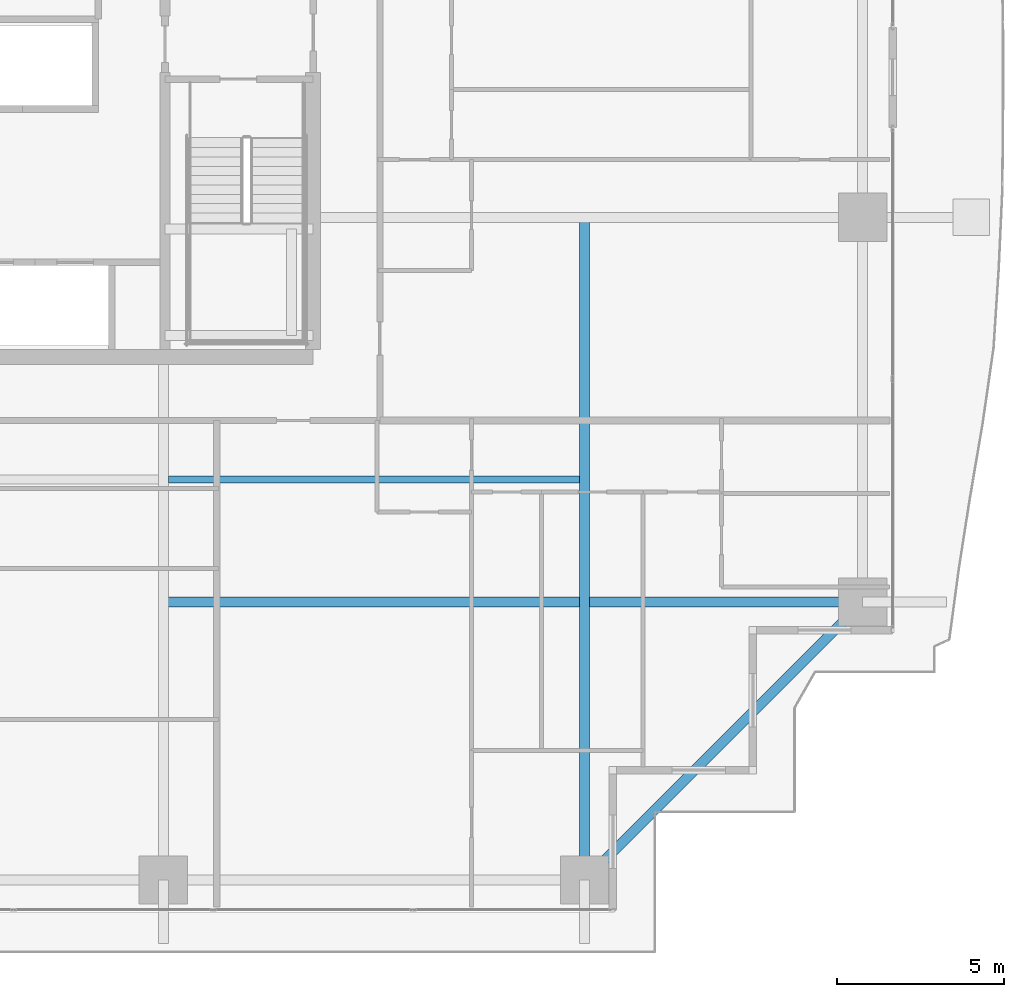
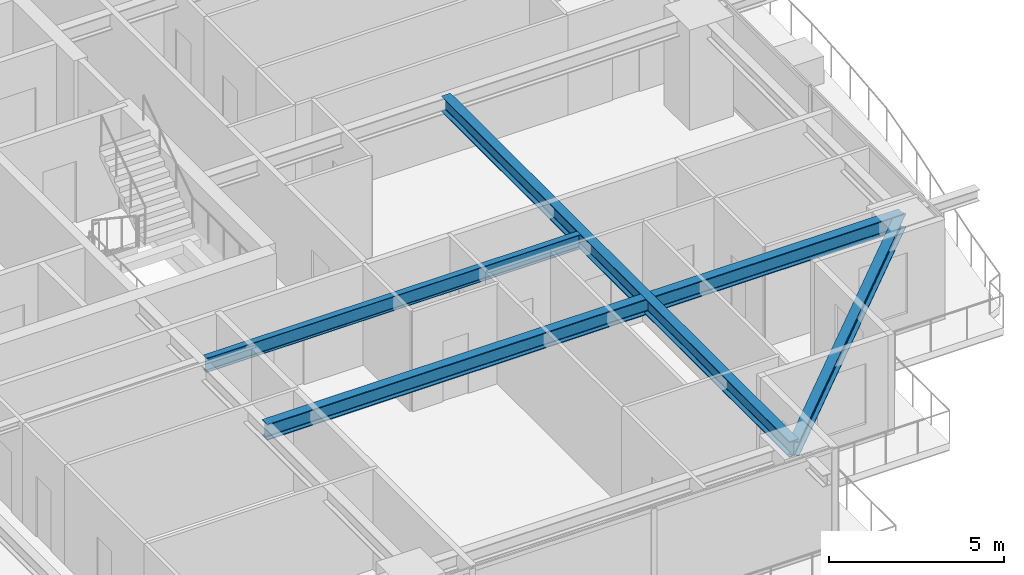
# One storey, part 11 of 37: 4 beams.
"""IFC4 building model written with IfcOpenShell, lengths in metres."""

from ifc_helpers import new_model, si_unit, direction, frame, origin, origin_2d, place, context, subcontext, project, spatial, i_section, extrude, source, transform, mapped, material, material_profile, profile_set, type_object, element, save


model = new_model("IFC4")

# Units and contexts
model_context = context("Model", 3, precision=1e-05, world=origin(), true_north=direction((0.0, 1.0)))
body_context = subcontext(model_context, "Body", "Model", "MODEL_VIEW")
ifc_project = project(units=[si_unit("LENGTHUNIT", "METRE"), si_unit("AREAUNIT", "SQUARE_METRE"), si_unit("VOLUMEUNIT", "CUBIC_METRE"), si_unit("PLANEANGLEUNIT", "RADIAN"), si_unit("MASSUNIT", "GRAM", prefix="KILO")], contexts=[model_context])

# Site, building, storey
site_placement = place(None, origin())
site = spatial("IfcSite", under=ifc_project, at=site_placement, CompositionType="ELEMENT")
building_placement = place(site_placement, origin())
building = spatial("IfcBuilding", under=site, at=building_placement, Name="Serunith Strait Residences", CompositionType="ELEMENT")
storey_placement = place(building_placement, frame((0.0, 0.0, 34.199951171875)))
storey = spatial("IfcBuildingStorey", under=building, at=storey_placement, Name="L07", CompositionType="ELEMENT", Elevation=34.199951171875)

# Beams
ifc_material = material(Name="Steel S355J2", Category="steel")
ifc_material_profile_1 = material_profile(ifc_material, i_section(OverallWidth=0.300048828125, OverallDepth=0.550048828125, WebThickness=0.014892578125, FlangeThickness=0.029052734375, FilletRadius=0.027099609375, at=origin_2d()), Name="HEB 550")
ifc_profile_set_1 = profile_set([ifc_material_profile_1], Name="Steel S355J2")
beam_type_1 = type_object("IfcBeamType", Name="BM-HEB550", PredefinedType="BEAM", material=ifc_profile_set_1)
shared_shape_1 = source(origin(), body_context, "Body", "SweptSolid", [
    extrude(i_section(OverallWidth=0.300048828125, OverallDepth=0.550048828125, WebThickness=0.014892578125, FlangeThickness=0.029052734375, FilletRadius=0.027099609375, at=origin_2d()), origin(), (0.0, 0.0, 1.0), 19.89990234375),
])
beam_1_placement = place(storey_placement, frame((49.550048828125, 21.0, 3.212158203125), z_axis=(0.0, -1.0, 0.0), x_axis=(1.0, 0.0, 0.0)))
element("IfcBeam", 1, at=beam_1_placement, inside=storey, type_object=beam_type_1, Name="L07 Orthogonal Corner Girder TC-S4", PredefinedType="BEAM", context=body_context, shape_type="MappedRepresentation", body=[
    mapped(shared_shape_1, transform((0.0, 0.0, 0.0), scale=1.0)),
])
shared_shape_2 = source(origin(), body_context, "Body", "SweptSolid", [
    extrude(i_section(OverallWidth=0.300048828125, OverallDepth=0.550048828125, WebThickness=0.014892578125, FlangeThickness=0.029052734375, FilletRadius=0.027099609375, at=origin_2d()), origin(), (0.0, 0.0, 1.0), 21.0),
])
beam_2_placement = place(storey_placement, frame((36.89990234375, 9.449951171875, 3.212158203125), z_axis=(1.0, 0.0, 0.0), x_axis=(0.0, 1.0, 0.0)))
element("IfcBeam", 2, at=beam_2_placement, inside=storey, type_object=beam_type_1, Name="L07 Orthogonal Corner Girder TC-E1", PredefinedType="BEAM", context=body_context, shape_type="MappedRepresentation", body=[
    mapped(shared_shape_2, transform((0.0, 0.0, 0.0), scale=1.0)),
])
ifc_material_profile_2 = material_profile(ifc_material, i_section(OverallWidth=0.300048828125, OverallDepth=0.5, WebThickness=0.014404296875, FlangeThickness=0.028076171875, FilletRadius=0.027099609375, at=origin_2d()), Name="HEB 500")
ifc_profile_set_2 = profile_set([ifc_material_profile_2], Name="Steel S355J2")
beam_type_2 = type_object("IfcBeamType", Name="BM-HEB500", PredefinedType="BEAM", material=ifc_profile_set_2)
shared_shape_3 = source(origin(), body_context, "Body", "SweptSolid", [
    extrude(i_section(OverallWidth=0.300048828125, OverallDepth=0.5, WebThickness=0.014404296875, FlangeThickness=0.028076171875, FilletRadius=0.027099609375, at=origin_2d()), origin(), (0.0, 0.0, 1.0), 11.80859375),
])
beam_3_placement = place(storey_placement, frame((49.550048828125, 1.10009765625, 3.20703125), z_axis=(0.707106781187, 0.707106781187, 0.0), x_axis=(-0.707106781187, 0.707106781187, 0.0)))
element("IfcBeam", 3, at=beam_3_placement, inside=storey, type_object=beam_type_2, Name="L07 Perimeter Ring Beam 04", PredefinedType="BEAM", context=body_context, shape_type="MappedRepresentation", body=[
    mapped(shared_shape_3, transform((0.0, 0.0, 0.0), scale=1.0)),
])
ifc_material_profile_3 = material_profile(ifc_material, i_section(OverallWidth=0.199951171875, OverallDepth=0.5, WebThickness=0.01025390625, FlangeThickness=0.01611328125, FilletRadius=0.02099609375, at=origin_2d()), Name="IPE 500")
ifc_profile_set_3 = profile_set([ifc_material_profile_3], Name="Steel S355J2")
beam_type_3 = type_object("IfcBeamType", Name="BM-IPE500", PredefinedType="JOIST", material=ifc_profile_set_3)
shared_shape_4 = source(origin(), body_context, "Body", "SweptSolid", [
    extrude(i_section(OverallWidth=0.199951171875, OverallDepth=0.5, WebThickness=0.01025390625, FlangeThickness=0.01611328125, FilletRadius=0.02099609375, at=origin_2d()), origin(), (0.0, 0.0, 1.0), 12.349853515625),
])
beam_4_placement = place(storey_placement, frame((37.050048828125, 13.125, 3.237060546875), z_axis=(1.0, 0.0, 0.0), x_axis=(0.0, 1.0, 0.0)))
element("IfcBeam", 4, at=beam_4_placement, inside=storey, type_object=beam_type_3, Name="L07 Composite Floor Joist 03", PredefinedType="JOIST", context=body_context, shape_type="MappedRepresentation", body=[
    mapped(shared_shape_4, transform((0.0, 0.0, 0.0), scale=1.0)),
])

save(model, "model.ifc")
